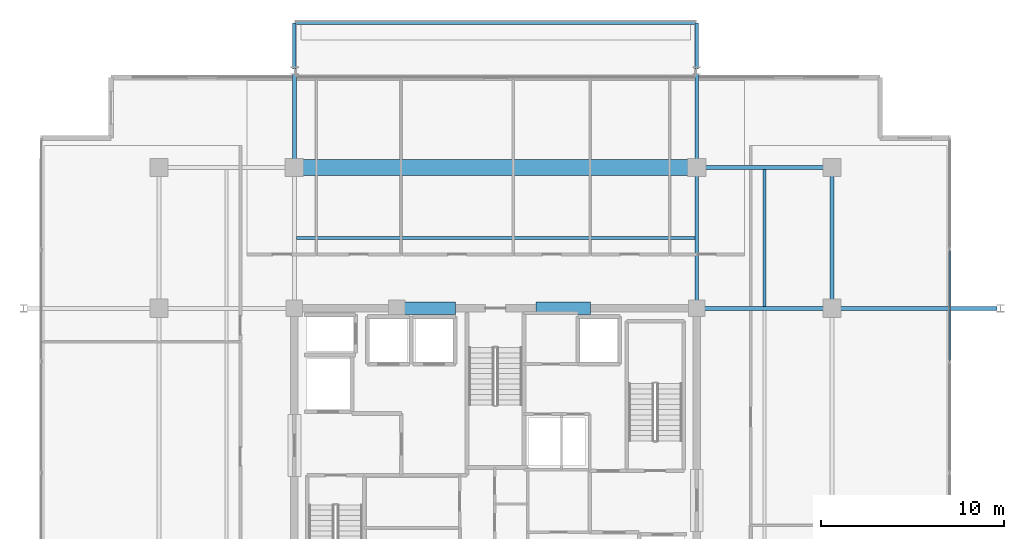
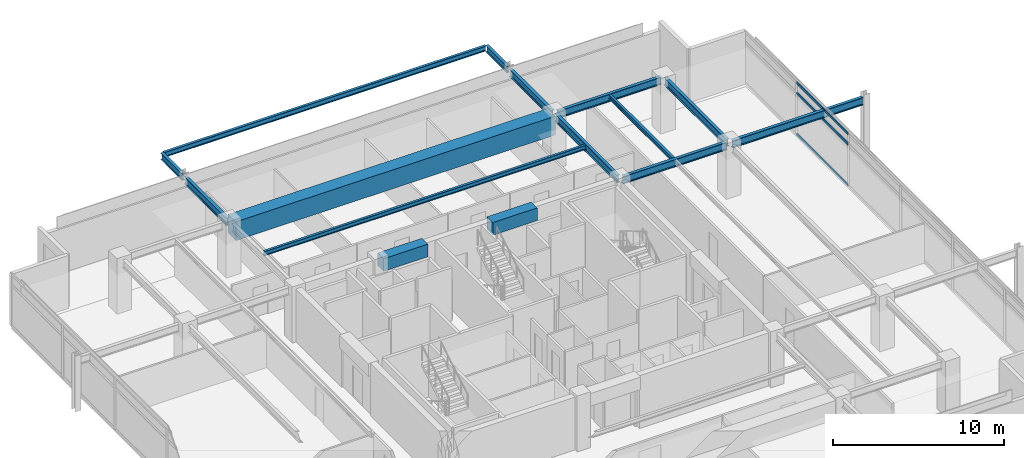
# One storey, part 10 of 20: 15 beams, 3 members, 1 element without a shape of its own.
"""IFC4 building model written with IfcOpenShell, lengths in metres."""

from ifc_helpers import new_model, si_unit, direction, frame, origin, origin_2d, place, context, subcontext, project, spatial, rectangle, hollow_rectangle, i_section, extrude, material, material_profile, profile_set, type_object, element, aggregate, save


model = new_model("IFC4")

# Units and contexts
model_context = context("Model", 3, precision=1e-05, world=origin(), true_north=direction((0.0, 1.0)))
body_context = subcontext(model_context, "Body", "Model", "MODEL_VIEW")
ifc_project = project(units=[si_unit("LENGTHUNIT", "METRE"), si_unit("AREAUNIT", "SQUARE_METRE"), si_unit("VOLUMEUNIT", "CUBIC_METRE"), si_unit("PLANEANGLEUNIT", "RADIAN"), si_unit("MASSUNIT", "GRAM", prefix="KILO")], contexts=[model_context])

# Site, building, storey
site_placement = place(None, origin())
site = spatial("IfcSite", under=ifc_project, at=site_placement, CompositionType="ELEMENT")
building_placement = place(site_placement, origin())
building = spatial("IfcBuilding", under=site, at=building_placement, Name="Kovane Verandah Tower", CompositionType="ELEMENT")
storey_placement = place(building_placement, frame((0.0, 0.0, 318.800048828125)))
storey = spatial("IfcBuildingStorey", under=building, at=storey_placement, Name="L74", CompositionType="ELEMENT", Elevation=318.800048828125)

# Beams
ifc_material_1 = material(Name="Concrete C60/75", Category="concrete")
ifc_material_profile_1 = material_profile(ifc_material_1, rectangle(XDim=0.699951171875, YDim=0.89990234375, at=origin_2d()), Name="RCB700x900")
ifc_profile_set_1 = profile_set([ifc_material_profile_1], Name="Concrete C60/75")
beam_type_1 = type_object("IfcBeamType", Name="BM-LINTEL-700x900", PredefinedType="LINTEL", material=ifc_profile_set_1)
for number, where, z_axis, x_axis, name in (
    (1, (34.800048828125, 36.5, 3.3349609375), (1.0, 0.0, 0.0), (0.0, 1.0, 0.0), "L74 Core Coupling Lintel CL-N1"),
    (2, (42.199951171875, 36.5, 3.3349609375), (1.0, 0.0, 0.0), (0.0, 1.0, 0.0), "L74 Core Coupling Lintel CL-N2"),
):
    element("IfcBeam", number, at=place(storey_placement, frame(where, z_axis=z_axis, x_axis=x_axis)), inside=storey, type_object=beam_type_1, Name=name, PredefinedType="LINTEL", context=body_context, shape_type="SweptSolid", body=[
        extrude(rectangle(XDim=0.699951171875, YDim=0.89990234375, at=origin_2d()), origin(), (0.0, 0.0, 1.0), 3.0),
    ])
ifc_material_2 = material(Name="Concrete C80/95", Category="concrete")
ifc_material_profile_2 = material_profile(ifc_material_2, rectangle(XDim=0.89990234375, YDim=1.35009765625, at=origin_2d()), Name="RCB900x1350")
ifc_profile_set_2 = profile_set([ifc_material_profile_2], Name="Concrete C80/95")
beam_type_2 = type_object("IfcBeamType", Name="BM-TR-900x1350", PredefinedType="BEAM", material=ifc_profile_set_2)
beam_1_placement = place(storey_placement, frame((29.179931640625, 44.199951171875, 3.10986328125), z_axis=(1.0, 0.0, 0.0), x_axis=(0.0, 1.0, 0.0)))
element("IfcBeam", 3, at=beam_1_placement, inside=storey, type_object=beam_type_2, Name="L74 Primary Tower Girder G-RN2", PredefinedType="BEAM", context=body_context, shape_type="SweptSolid", body=[
    extrude(rectangle(XDim=0.89990234375, YDim=1.35009765625, at=origin_2d()), origin(), (0.0, 0.0, 1.0), 21.64013671875),
])
ifc_material_3 = material(Name="Steel S355", Category="steel")
ifc_material_profile_3 = material_profile(ifc_material_3, i_section(OverallWidth=0.2119140625, OverallDepth=0.54443359375, WebThickness=0.0126953125, FlangeThickness=0.021240234375, FilletRadius=0.0126953125, at=origin_2d()), Name="UB533x210x122")
ifc_profile_set_3 = profile_set([ifc_material_profile_3], Name="Steel S355")
beam_type_3 = type_object("IfcBeamType", Name="BM-UB533x122", PredefinedType="BEAM", material=ifc_profile_set_3)
beam_2_placement = place(storey_placement, frame((51.179931640625, 44.199951171875, 3.5126953125), z_axis=(1.0, 0.0, 0.0), x_axis=(0.0, 1.0, 0.0)))
element("IfcBeam", 4, at=beam_2_placement, inside=storey, type_object=beam_type_3, Name="L74 Primary Tower Girder G-RN3", PredefinedType="BEAM", context=body_context, shape_type="SweptSolid", body=[
    extrude(i_section(OverallWidth=0.2119140625, OverallDepth=0.54443359375, WebThickness=0.0126953125, FlangeThickness=0.021240234375, FilletRadius=0.0126953125, at=origin_2d()), origin(), (0.0, 0.0, 1.0), 7.0400390625),
])
beam_3_placement = place(storey_placement, frame((58.39990234375, 36.679931640625, 3.5126953125), z_axis=(0.0, 1.0, 0.0), x_axis=(-1.0, 0.0, 0.0)))
element("IfcBeam", 5, at=beam_3_placement, inside=storey, type_object=beam_type_3, Name="L74 Primary Tower Girder G-RE3", PredefinedType="BEAM", context=body_context, shape_type="SweptSolid", body=[
    extrude(i_section(OverallWidth=0.2119140625, OverallDepth=0.54443359375, WebThickness=0.0126953125, FlangeThickness=0.021240234375, FilletRadius=0.0126953125, at=origin_2d()), origin(), (0.0, 0.0, 1.0), 7.340087890625),
])
beam_4_placement = place(storey_placement, frame((51.179931640625, 36.5, 3.5126953125), z_axis=(1.0, 0.0, 0.0), x_axis=(0.0, 1.0, 0.0)))
element("IfcBeam", 6, at=beam_4_placement, inside=storey, type_object=beam_type_3, Name="L74 Primary Tower Girder G-E2", PredefinedType="BEAM", context=body_context, shape_type="SweptSolid", body=[
    extrude(i_section(OverallWidth=0.2119140625, OverallDepth=0.54443359375, WebThickness=0.0126953125, FlangeThickness=0.021240234375, FilletRadius=0.0126953125, at=origin_2d()), origin(), (0.0, 0.0, 1.0), 7.0400390625),
])
beam_5_placement = place(storey_placement, frame((51.0, 36.679931640625, 3.5126953125), z_axis=(0.0, 1.0, 0.0), x_axis=(-1.0, 0.0, 0.0)))
element("IfcBeam", 7, at=beam_5_placement, inside=storey, type_object=beam_type_3, Name="L74 Primary Tower Girder G-N2", PredefinedType="BEAM", context=body_context, shape_type="SweptSolid", body=[
    extrude(i_section(OverallWidth=0.2119140625, OverallDepth=0.54443359375, WebThickness=0.0126953125, FlangeThickness=0.021240234375, FilletRadius=0.0126953125, at=origin_2d()), origin(), (0.0, 0.0, 1.0), 7.340087890625),
])
beam_6_placement = place(storey_placement, frame((58.580078125, 36.5, 3.48779296875), z_axis=(1.0, 0.0, 0.0), x_axis=(0.0, 1.0, 0.0)))
element("IfcBeam", 8, at=beam_6_placement, inside=storey, type_object=beam_type_3, Name="L74 Primary Tower Girder G-VE2", PredefinedType="BEAM", context=body_context, shape_type="SweptSolid", body=[
    extrude(i_section(OverallWidth=0.2119140625, OverallDepth=0.54443359375, WebThickness=0.0126953125, FlangeThickness=0.021240234375, FilletRadius=0.0126953125, at=origin_2d()), origin(), (0.0, 0.0, 1.0), 8.83984375),
])
for number, where, z_axis, x_axis, name in (
    (9, (29.0, 44.3798828125, 3.48779296875), (0.0, 1.0, 0.0), (-1.0, 0.0, 0.0), "L74 Primary Tower Girder G-VN1"),
    (10, (51.0, 44.3798828125, 3.48779296875), (0.0, 1.0, 0.0), (-1.0, 0.0, 0.0), "L74 Primary Tower Girder G-VN2"),
):
    element("IfcBeam", number, at=place(storey_placement, frame(where, z_axis=z_axis, x_axis=x_axis)), inside=storey, type_object=beam_type_3, Name=name, PredefinedType="BEAM", context=body_context, shape_type="SweptSolid", body=[
        extrude(i_section(OverallWidth=0.2119140625, OverallDepth=0.54443359375, WebThickness=0.0126953125, FlangeThickness=0.021240234375, FilletRadius=0.0126953125, at=origin_2d()), origin(), (0.0, 0.0, 1.0), 4.940185546875),
    ])

# Curtain wall, members
ifc_material_4 = material(Name="Champagne Anodised Aluminium Frame with Low-E Clear Laminated Glass", Category="aluminium")
curtain_wall_type = type_object("IfcCurtainWallType", Name="CW-SYS-05-HIGH", PredefinedType="NOTDEFINED", material=ifc_material_4)
curtain_wall_placement = place(storey_placement, origin())
curtain_wall = element("IfcCurtainWall", 11, at=curtain_wall_placement, inside=storey, type_object=curtain_wall_type, Name="L74 E Unitised Curtain Wall", PredefinedType="NOTDEFINED")
ifc_material_5 = material(Name="Champagne Anodised Aluminium 6063-T6", Category="aluminium")
ifc_material_profile_4 = material_profile(ifc_material_5, hollow_rectangle(XDim=0.0849609375, YDim=0.18994140625, WallThickness=0.00390625, at=origin_2d()), Name="AL85x190x4")
ifc_profile_set_4 = profile_set([ifc_material_profile_4], Name="Champagne Anodised Aluminium 6063-T6")
member_type = type_object("IfcMemberType", Name="CW-TRN-85x190", PredefinedType="USERDEFINED", material=ifc_profile_set_4)
member_1_placement = place(storey_placement, frame((64.83154296875, 33.6552734375, 0.050048828125), z_axis=(0.0, 1.0, 0.0), x_axis=(-1.0, 0.0, 0.0)))
member_1 = element("IfcMember", 12, at=member_1_placement, type_object=member_type, Name="L74 E Unitised Curtain Wall Transom TB Bay 5", ObjectType="TRANSOM", PredefinedType="USERDEFINED", context=body_context, shape_type="SweptSolid", body=[
    extrude(hollow_rectangle(XDim=0.0849609375, YDim=0.18994140625, WallThickness=0.00390625, at=origin_2d()), origin(), (0.0, 0.0, 1.0), 6.005126953125),
])
member_2_placement = place(storey_placement, frame((64.83154296875, 33.6552734375, 3.0048828125), z_axis=(0.0, 1.0, 0.0), x_axis=(-1.0, 0.0, 0.0)))
member_2 = element("IfcMember", 13, at=member_2_placement, type_object=member_type, Name="L74 E Unitised Curtain Wall Transom TM Bay 5", ObjectType="TRANSOM", PredefinedType="USERDEFINED", context=body_context, shape_type="SweptSolid", body=[
    extrude(hollow_rectangle(XDim=0.0849609375, YDim=0.18994140625, WallThickness=0.00390625, at=origin_2d()), origin(), (0.0, 0.0, 1.0), 6.005126953125),
])
member_3_placement = place(storey_placement, frame((64.83154296875, 33.6552734375, 3.73486328125), z_axis=(0.0, 1.0, 0.0), x_axis=(-1.0, 0.0, 0.0)))
member_3 = element("IfcMember", 14, at=member_3_placement, type_object=member_type, Name="L74 E Unitised Curtain Wall Transom TT Bay 5", ObjectType="TRANSOM", PredefinedType="USERDEFINED", context=body_context, shape_type="SweptSolid", body=[
    extrude(hollow_rectangle(XDim=0.0849609375, YDim=0.18994140625, WallThickness=0.00390625, at=origin_2d()), origin(), (0.0, 0.0, 1.0), 6.005126953125),
])
aggregate(curtain_wall, [member_1, member_2, member_3])

# Beams
ifc_material_profile_5 = material_profile(ifc_material_3, i_section(OverallWidth=0.1669921875, OverallDepth=0.310302734375, WebThickness=0.0078125, FlangeThickness=0.013671875, FilletRadius=0.0087890625, at=origin_2d()), Name="UB305x165x54")
ifc_profile_set_5 = profile_set([ifc_material_profile_5], Name="Steel S355")
beam_type_4 = type_object("IfcBeamType", Name="JST-UB305x54", PredefinedType="JOIST", material=ifc_profile_set_5)
beam_7_placement = place(storey_placement, frame((29.10400390625, 40.35009765625, 3.629638671875), z_axis=(1.0, 0.0, 0.0), x_axis=(0.0, 1.0, 0.0)))
element("IfcBeam", 15, at=beam_7_placement, inside=storey, type_object=beam_type_4, Name="L74 Secondary Composite Joist J-N1", PredefinedType="JOIST", context=body_context, shape_type="SweptSolid", body=[
    extrude(i_section(OverallWidth=0.1669921875, OverallDepth=0.310302734375, WebThickness=0.0078125, FlangeThickness=0.013671875, FilletRadius=0.0087890625, at=origin_2d()), origin(), (0.0, 0.0, 1.0), 21.7919921875),
])
beam_8_placement = place(storey_placement, frame((54.699951171875, 36.60400390625, 3.629638671875), z_axis=(0.0, 1.0, 0.0), x_axis=(-1.0, 0.0, 0.0)))
element("IfcBeam", 16, at=beam_8_placement, inside=storey, type_object=beam_type_4, Name="L74 Secondary Composite Joist J-NE1", PredefinedType="JOIST", context=body_context, shape_type="SweptSolid", body=[
    extrude(i_section(OverallWidth=0.1669921875, OverallDepth=0.310302734375, WebThickness=0.0078125, FlangeThickness=0.013671875, FilletRadius=0.0087890625, at=origin_2d()), origin(), (0.0, 0.0, 1.0), 7.491943359375),
])
ifc_material_profile_6 = material_profile(ifc_material_3, i_section(OverallWidth=0.19287109375, OverallDepth=0.46728515625, WebThickness=0.011474609375, FlangeThickness=0.01953125, FilletRadius=0.01025390625, at=origin_2d()), Name="UB457x191x98")
ifc_profile_set_6 = profile_set([ifc_material_profile_6], Name="Steel S355")
beam_type_5 = type_object("IfcBeamType", Name="JST-UB457x98", PredefinedType="JOIST", material=ifc_profile_set_6)
for number, where, z_axis, x_axis, name in (
    (17, (29.0, 49.580078125, 3.5263671875), (0.0, 1.0, 0.0), (-1.0, 0.0, 0.0), "L74 North Planter Girder 1"),
    (18, (51.0, 49.580078125, 3.5263671875), (0.0, 1.0, 0.0), (-1.0, 0.0, 0.0), "L74 North Planter Girder 2"),
):
    element("IfcBeam", number, at=place(storey_placement, frame(where, z_axis=z_axis, x_axis=x_axis)), inside=storey, type_object=beam_type_5, Name=name, PredefinedType="JOIST", context=body_context, shape_type="SweptSolid", body=[
        extrude(i_section(OverallWidth=0.19287109375, OverallDepth=0.46728515625, WebThickness=0.011474609375, FlangeThickness=0.01953125, FilletRadius=0.01025390625, at=origin_2d()), origin(), (0.0, 0.0, 1.0), 2.52001953125),
    ])
ifc_material_profile_7 = material_profile(ifc_material_3, i_section(OverallWidth=0.173095703125, OverallDepth=0.36328125, WebThickness=0.009033203125, FlangeThickness=0.015625, FilletRadius=0.01025390625, at=origin_2d()), Name="UB356x171x67")
ifc_profile_set_7 = profile_set([ifc_material_profile_7], Name="Steel S355")
beam_type_6 = type_object("IfcBeamType", Name="SPD-UB356x67", PredefinedType="USERDEFINED", material=ifc_profile_set_7)
beam_9_placement = place(storey_placement, frame((29.094482421875, 52.10009765625, 3.578369140625), z_axis=(1.0, 0.0, 0.0), x_axis=(0.0, 1.0, 0.0)))
element("IfcBeam", 19, at=beam_9_placement, inside=storey, type_object=beam_type_6, Name="L74 North Planter Edge Spandrel", ObjectType="SPANDREL", PredefinedType="USERDEFINED", context=body_context, shape_type="SweptSolid", body=[
    extrude(i_section(OverallWidth=0.173095703125, OverallDepth=0.36328125, WebThickness=0.009033203125, FlangeThickness=0.015625, FilletRadius=0.01025390625, at=origin_2d()), origin(), (0.0, 0.0, 1.0), 21.81103515625),
])

save(model, "model.ifc")
